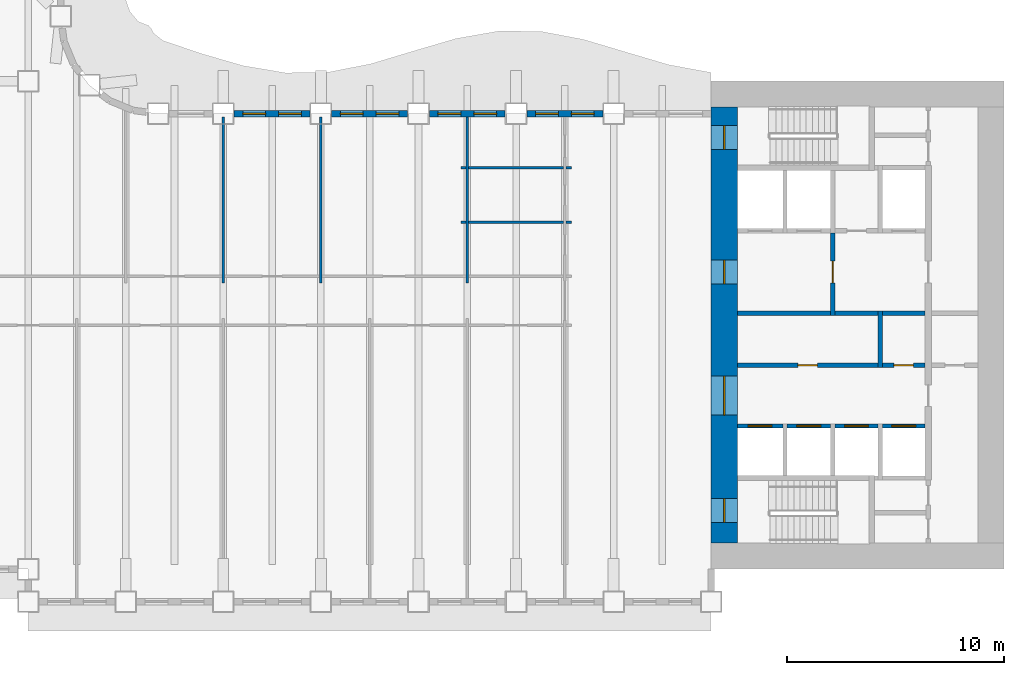
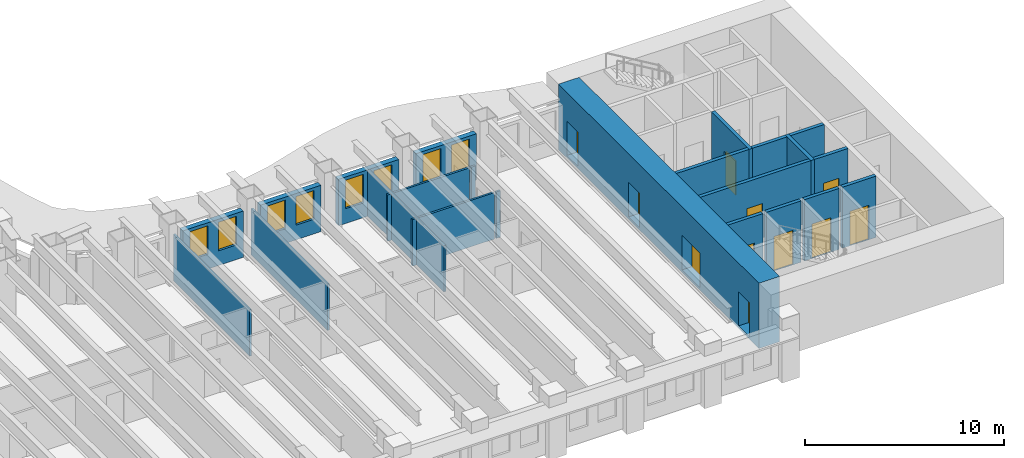
# One storey, part 6 of 16: 25 walls, 11 doors, 8 windows, 19 openings.
"""IFC4 building model written with IfcOpenShell, lengths in metres."""

from ifc_helpers import new_model, si_unit, direction, frame, frame_2d, origin, place, context, subcontext, project, spatial, rectangle, extrude, material, layer, layer_set, type_object, element, fill, save


model = new_model("IFC4")

# Units and contexts
model_context = context("Model", 3, precision=1e-05, world=origin(), true_north=direction((0.0, 1.0)))
body_context = subcontext(model_context, "Body", "Model", "MODEL_VIEW")
ifc_project = project(units=[si_unit("LENGTHUNIT", "METRE"), si_unit("AREAUNIT", "SQUARE_METRE"), si_unit("VOLUMEUNIT", "CUBIC_METRE"), si_unit("PLANEANGLEUNIT", "RADIAN"), si_unit("MASSUNIT", "GRAM", prefix="KILO")], contexts=[model_context])

# Site, building, storey
site_placement = place(None, origin())
site = spatial("IfcSite", under=ifc_project, at=site_placement, CompositionType="ELEMENT")
building_placement = place(site_placement, origin())
building = spatial("IfcBuilding", under=site, at=building_placement, Name="Sennacour Bend Tower", CompositionType="ELEMENT")
storey_placement = place(building_placement, frame((0.0, 0.0, 127.0)))
storey = spatial("IfcBuildingStorey", under=building, at=storey_placement, Name="L29", CompositionType="ELEMENT", Elevation=127.0)

# Wall, openings, doors
ifc_material_1 = material(Name="Concrete C80/95", Category="concrete")
ifc_layer_1 = layer(ifc_material_1, 1.199951171875, Name="Concrete C80/95", Category="concrete")
ifc_layer_set_1 = layer_set([ifc_layer_1], Name="Concrete C80/95")
wall_type_1 = type_object("IfcWallType", Name="Core wall 1200 C80/95", PredefinedType="SHEAR", material=ifc_layer_set_1)
wall_1_placement = place(storey_placement, frame((54.60009765625, 1.199951171875, -0.14990234375), z_axis=(0.0, 0.0, 1.0), x_axis=(0.0, 1.0, 0.0)))
wall_1 = element("IfcWall", 1, at=wall_1_placement, inside=storey, type_object=wall_type_1, Name="Core A wall L29 W", PredefinedType="SHEAR", context=body_context, shape_type="SweptSolid", body=[
    extrude(rectangle(XDim=20.10009765625, YDim=1.199951171875, at=frame_2d((10.050048828125, 0.0))), origin(), (0.0, 0.0, 1.0), 4.0),
])
opening_1_placement = place(wall_1_placement, frame((5.89990234375, 0.0, 0.14990234375)))
opening_1 = element("IfcOpeningElement", 2, at=opening_1_placement, cuts=wall_1, Name="Opening CD", PredefinedType="OPENING", context=body_context, shape_type="SweptSolid", body=[
    extrude(rectangle(XDim=1.800048828125, YDim=2.10009765625, at=frame_2d((0.89990234375, 1.050048828125))), frame((0.0, 0.60986328125, 0.0), z_axis=(0.0, -1.0, 0.0), x_axis=(1.0, 0.0, 0.0)), (0.0, 0.0, 1.0), 1.219970703125),
])
opening_2_placement = place(wall_1_placement, frame((11.949951171875, 0.0, 0.14990234375)))
opening_2 = element("IfcOpeningElement", 3, at=opening_2_placement, cuts=wall_1, Name="Opening FD", PredefinedType="OPENING", context=body_context, shape_type="SweptSolid", body=[
    extrude(rectangle(XDim=1.10009765625, YDim=2.10009765625, at=frame_2d((0.550048828125, 1.050048828125))), frame((0.0, 0.60986328125, 0.0), z_axis=(0.0, -1.0, 0.0), x_axis=(1.0, 0.0, 0.0)), (0.0, 0.0, 1.0), 1.219970703125),
])
opening_3_placement = place(wall_1_placement, frame((0.949951171875, 0.0, 0.14990234375)))
opening_3 = element("IfcOpeningElement", 4, at=opening_3_placement, cuts=wall_1, Name="Opening SD", PredefinedType="OPENING", context=body_context, shape_type="SweptSolid", body=[
    extrude(rectangle(XDim=1.10009765625, YDim=2.10009765625, at=frame_2d((0.550048828125, 1.050048828125))), frame((0.0, 0.60986328125, 0.0), z_axis=(0.0, -1.0, 0.0), x_axis=(1.0, 0.0, 0.0)), (0.0, 0.0, 1.0), 1.219970703125),
])
opening_4_placement = place(wall_1_placement, frame((18.14990234375, 0.0, 0.14990234375)))
opening_4 = element("IfcOpeningElement", 5, at=opening_4_placement, cuts=wall_1, Name="Opening SD", PredefinedType="OPENING", context=body_context, shape_type="SweptSolid", body=[
    extrude(rectangle(XDim=1.10009765625, YDim=2.10009765625, at=frame_2d((0.550048828125, 1.050048828125))), frame((0.0, 0.60986328125, 0.0), z_axis=(0.0, -1.0, 0.0), x_axis=(1.0, 0.0, 0.0)), (0.0, 0.0, 1.0), 1.219970703125),
])
ifc_material_2 = material(Name="Painted steel", Category="steel")
door_type_1 = type_object("IfcDoorType", Name="DR-FFL-1100", OperationType="NOTDEFINED", PredefinedType="DOOR", material=ifc_material_2)
door_1_placement = place(opening_2_placement, origin())
door_1 = element("IfcDoor", 6, at=door_1_placement, inside=storey, type_object=door_type_1, Name="Door", OperationType="SINGLE_SWING_RIGHT", OverallHeight=2.10009765625, OverallWidth=1.10009765625, PredefinedType="DOOR", context=body_context, shape_type="SweptSolid", body=[
    extrude(rectangle(XDim=1.10009765625, YDim=2.10009765625, at=frame_2d((0.550048828125, 1.050048828125))), frame((0.0, 0.02490234375, 0.0), z_axis=(0.0, -1.0, 0.0), x_axis=(1.0, 0.0, 0.0)), (0.0, 0.0, 1.0), 0.050048828125),
])
fill(opening_2, door_1)
door_type_2 = type_object("IfcDoorType", Name="DR-LOBBY-1800", OperationType="NOTDEFINED", PredefinedType="DOOR", material=ifc_material_2)
door_2_placement = place(opening_1_placement, origin())
door_2 = element("IfcDoor", 7, at=door_2_placement, inside=storey, type_object=door_type_2, Name="Door", OperationType="DOUBLE_DOOR_SINGLE_SWING", OverallHeight=2.10009765625, OverallWidth=1.800048828125, PredefinedType="DOOR", context=body_context, shape_type="SweptSolid", body=[
    extrude(rectangle(XDim=1.800048828125, YDim=2.10009765625, at=frame_2d((0.89990234375, 1.050048828125))), frame((0.0, 0.02490234375, 0.0), z_axis=(0.0, -1.0, 0.0), x_axis=(1.0, 0.0, 0.0)), (0.0, 0.0, 1.0), 0.050048828125),
])
fill(opening_1, door_2)
door_type_3 = type_object("IfcDoorType", Name="DR-STAIR-1100", OperationType="NOTDEFINED", PredefinedType="DOOR", material=ifc_material_2)
door_3_placement = place(opening_3_placement, origin())
door_3 = element("IfcDoor", 8, at=door_3_placement, inside=storey, type_object=door_type_3, Name="Door", OperationType="SINGLE_SWING_LEFT", OverallHeight=2.10009765625, OverallWidth=1.10009765625, PredefinedType="DOOR", context=body_context, shape_type="SweptSolid", body=[
    extrude(rectangle(XDim=1.10009765625, YDim=2.10009765625, at=frame_2d((0.550048828125, 1.050048828125))), frame((0.0, 0.02490234375, 0.0), z_axis=(0.0, -1.0, 0.0), x_axis=(1.0, 0.0, 0.0)), (0.0, 0.0, 1.0), 0.050048828125),
])
fill(opening_3, door_3)
door_4_placement = place(opening_4_placement, origin())
door_4 = element("IfcDoor", 9, at=door_4_placement, inside=storey, type_object=door_type_3, Name="Door", OperationType="SINGLE_SWING_RIGHT", OverallHeight=2.10009765625, OverallWidth=1.10009765625, PredefinedType="DOOR", context=body_context, shape_type="SweptSolid", body=[
    extrude(rectangle(XDim=1.10009765625, YDim=2.10009765625, at=frame_2d((0.550048828125, 1.050048828125))), frame((0.0, 0.02490234375, 0.0), z_axis=(0.0, -1.0, 0.0), x_axis=(1.0, 0.0, 0.0)), (0.0, 0.0, 1.0), 0.050048828125),
])
fill(opening_4, door_4)

# Walls
ifc_material_3 = material(Name="Plasterboard partition on steel studs", Category="steel")
ifc_layer_2 = layer(ifc_material_3, 0.1201171875, Name="Plasterboard partition on steel studs", Category="steel")
ifc_layer_set_2 = layer_set([ifc_layer_2], Name="Plasterboard partition on steel studs")
wall_type_2 = type_object("IfcWallType", Name="Partition 120", PredefinedType="PARTITIONING", material=ifc_layer_set_2)
for number, where, z_axis, x_axis, name in (
    (10, (31.5, 13.199951171875, 0.0), (0.0, 0.0, 1.0), (0.0, 1.0, 0.0), "P-L29-W028a"),
    (11, (36.0, 13.199951171875, 0.0), (0.0, 0.0, 1.0), (0.0, 1.0, 0.0), "P-L29-W029a"),
    (12, (42.75, 13.199951171875, 0.0), (0.0, 0.0, 1.0), (0.0, 1.0, 0.0), "P-L29-W032a"),
):
    element("IfcWall", number, at=place(storey_placement, frame(where, z_axis=z_axis, x_axis=x_axis)), inside=storey, type_object=wall_type_2, Name=name, PredefinedType="PARTITIONING", context=body_context, shape_type="SweptSolid", body=[
        extrude(rectangle(XDim=7.650146484375, YDim=0.1201171875, at=frame_2d((3.8251953125, 0.0))), origin(), (0.0, 0.0, 1.0), 2.837890625),
    ])
wall_2_placement = place(storey_placement, frame((42.449951171875, 16.0, 0.0), z_axis=(0.0, 0.0, 1.0), x_axis=(1.0, 0.0, 0.0)))
element("IfcWall", 13, at=wall_2_placement, inside=storey, type_object=wall_type_2, Name="P-L29-W064aa", PredefinedType="PARTITIONING", context=body_context, shape_type="SweptSolid", body=[
    extrude(rectangle(XDim=0.239990234375, YDim=0.1201171875, at=frame_2d((0.1201171875, 0.0))), origin(), (0.0, 0.0, 1.0), 2.837890625),
])
wall_3_placement = place(storey_placement, frame((42.81005859375, 16.0, 0.0), z_axis=(0.0, 0.0, 1.0), x_axis=(1.0, 0.0, 0.0)))
element("IfcWall", 14, at=wall_3_placement, inside=storey, type_object=wall_type_2, Name="P-L29-W064ab", PredefinedType="PARTITIONING", context=body_context, shape_type="SweptSolid", body=[
    extrude(rectangle(XDim=4.3798828125, YDim=0.1201171875, at=frame_2d((2.18994140625, 0.0))), origin(), (0.0, 0.0, 1.0), 2.837890625),
])
for number, where, z_axis, x_axis, name in (
    (15, (47.31005859375, 16.0, 0.0), (0.0, 0.0, 1.0), (1.0, 0.0, 0.0), "P-L29-W064ac"),
    (16, (42.449951171875, 18.5, 0.0), (0.0, 0.0, 1.0), (1.0, 0.0, 0.0), "P-L29-W065aa"),
):
    element("IfcWall", number, at=place(storey_placement, frame(where, z_axis=z_axis, x_axis=x_axis)), inside=storey, type_object=wall_type_2, Name=name, PredefinedType="PARTITIONING", context=body_context, shape_type="SweptSolid", body=[
        extrude(rectangle(XDim=0.239990234375, YDim=0.1201171875, at=frame_2d((0.1201171875, 0.0))), origin(), (0.0, 0.0, 1.0), 2.837890625),
    ])
wall_4_placement = place(storey_placement, frame((42.81005859375, 18.5, 0.0), z_axis=(0.0, 0.0, 1.0), x_axis=(1.0, 0.0, 0.0)))
element("IfcWall", 17, at=wall_4_placement, inside=storey, type_object=wall_type_2, Name="P-L29-W065ab", PredefinedType="PARTITIONING", context=body_context, shape_type="SweptSolid", body=[
    extrude(rectangle(XDim=4.3798828125, YDim=0.1201171875, at=frame_2d((2.18994140625, 0.0))), origin(), (0.0, 0.0, 1.0), 2.837890625),
])
wall_5_placement = place(storey_placement, frame((47.31005859375, 18.5, 0.0), z_axis=(0.0, 0.0, 1.0), x_axis=(1.0, 0.0, 0.0)))
element("IfcWall", 18, at=wall_5_placement, inside=storey, type_object=wall_type_2, Name="P-L29-W065ac", PredefinedType="PARTITIONING", context=body_context, shape_type="SweptSolid", body=[
    extrude(rectangle(XDim=0.239990234375, YDim=0.1201171875, at=frame_2d((0.1201171875, 0.0))), origin(), (0.0, 0.0, 1.0), 2.837890625),
])
ifc_material_4 = material(Name="Fire-rated plasterboard partition on steel studs", Category="steel")
ifc_layer_3 = layer(ifc_material_4, 0.199951171875, Name="Fire-rated plasterboard partition on steel studs", Category="steel")
ifc_layer_set_3 = layer_set([ifc_layer_3], Name="Fire-rated plasterboard partition on steel studs")
wall_type_3 = type_object("IfcWallType", Name="Rated partition 200", PredefinedType="PARTITIONING", material=ifc_layer_set_3)
wall_6_placement = place(storey_placement, frame((61.800048828125, 9.300048828125, 0.0), z_axis=(0.0, 0.0, 1.0), x_axis=(0.0, 1.0, 0.0)))
element("IfcWall", 19, at=wall_6_placement, inside=storey, type_object=wall_type_3, Name="P-L29-W043", PredefinedType="PARTITIONING", context=body_context, shape_type="SweptSolid", body=[
    extrude(rectangle(XDim=2.599853515625, YDim=0.199951171875, at=frame_2d((1.2998046875, 0.0))), origin(), (0.0, 0.0, 1.0), 3.75),
])

# Wall, opening, door
wall_7_placement = place(storey_placement, frame((55.199951171875, 9.39990234375, 0.0), z_axis=(0.0, 0.0, 1.0), x_axis=(1.0, 0.0, 0.0)))
wall_7 = element("IfcWall", 20, at=wall_7_placement, inside=storey, type_object=wall_type_3, Name="P-L29-W057a", PredefinedType="PARTITIONING", context=body_context, shape_type="SweptSolid", body=[
    extrude(rectangle(XDim=6.5, YDim=0.199951171875, at=frame_2d((3.25, 0.0))), origin(), (0.0, 0.0, 1.0), 3.75),
])
opening_5_placement = place(wall_7_placement, frame((2.800048828125, 0.0, 0.0)))
opening_5 = element("IfcOpeningElement", 21, at=opening_5_placement, cuts=wall_7, Name="Opening SV", PredefinedType="OPENING", context=body_context, shape_type="SweptSolid", body=[
    extrude(rectangle(XDim=0.89990234375, YDim=2.10009765625, at=frame_2d((0.449951171875, 1.050048828125))), frame((0.0, 0.10986328125, 0.0), z_axis=(0.0, -1.0, 0.0), x_axis=(1.0, 0.0, 0.0)), (0.0, 0.0, 1.0), 0.219970703125),
])
door_type_4 = type_object("IfcDoorType", Name="DR-SERVICE-900", OperationType="NOTDEFINED", PredefinedType="DOOR", material=ifc_material_2)
door_5_placement = place(opening_5_placement, origin())
door_5 = element("IfcDoor", 22, at=door_5_placement, inside=storey, type_object=door_type_4, Name="Door", OperationType="SINGLE_SWING_LEFT", OverallHeight=2.10009765625, OverallWidth=0.89990234375, PredefinedType="DOOR", context=body_context, shape_type="SweptSolid", body=[
    extrude(rectangle(XDim=0.89990234375, YDim=2.10009765625, at=frame_2d((0.449951171875, 1.050048828125))), frame((0.0, 0.02490234375, 0.0), z_axis=(0.0, -1.0, 0.0), x_axis=(1.0, 0.0, 0.0)), (0.0, 0.0, 1.0), 0.050048828125),
])
fill(opening_5, door_5)

wall_8_placement = place(storey_placement, frame((61.89990234375, 9.39990234375, 0.0), z_axis=(0.0, 0.0, 1.0), x_axis=(1.0, 0.0, 0.0)))
wall_8 = element("IfcWall", 23, at=wall_8_placement, inside=storey, type_object=wall_type_3, Name="P-L29-W057b", PredefinedType="PARTITIONING", context=body_context, shape_type="SweptSolid", body=[
    extrude(rectangle(XDim=1.9501953125, YDim=0.199951171875, at=frame_2d((0.97509765625, 0.0))), origin(), (0.0, 0.0, 1.0), 3.75),
])
opening_6_placement = place(wall_8_placement, frame((0.525146484375, 0.0, 0.0)))
opening_6 = element("IfcOpeningElement", 24, at=opening_6_placement, cuts=wall_8, Name="Opening SV", PredefinedType="OPENING", context=body_context, shape_type="SweptSolid", body=[
    extrude(rectangle(XDim=0.89990234375, YDim=2.10009765625, at=frame_2d((0.449951171875, 1.050048828125))), frame((0.0, 0.10986328125, 0.0), z_axis=(0.0, -1.0, 0.0), x_axis=(1.0, 0.0, 0.0)), (0.0, 0.0, 1.0), 0.219970703125),
])
door_6_placement = place(opening_6_placement, origin())
door_6 = element("IfcDoor", 25, at=door_6_placement, inside=storey, type_object=door_type_4, Name="Door", OperationType="SINGLE_SWING_LEFT", OverallHeight=2.10009765625, OverallWidth=0.89990234375, PredefinedType="DOOR", context=body_context, shape_type="SweptSolid", body=[
    extrude(rectangle(XDim=0.89990234375, YDim=2.10009765625, at=frame_2d((0.449951171875, 1.050048828125))), frame((0.0, 0.02490234375, 0.0), z_axis=(0.0, -1.0, 0.0), x_axis=(1.0, 0.0, 0.0)), (0.0, 0.0, 1.0), 0.050048828125),
])
fill(opening_6, door_6)

# Walls
wall_9_placement = place(storey_placement, frame((55.199951171875, 11.800048828125, 0.0), z_axis=(0.0, 0.0, 1.0), x_axis=(1.0, 0.0, 0.0)))
element("IfcWall", 26, at=wall_9_placement, inside=storey, type_object=wall_type_3, Name="P-L29-W059a", PredefinedType="PARTITIONING", context=body_context, shape_type="SweptSolid", body=[
    extrude(rectangle(XDim=4.300048828125, YDim=0.199951171875, at=frame_2d((2.14990234375, 0.0))), origin(), (0.0, 0.0, 1.0), 3.75),
])
wall_10_placement = place(storey_placement, frame((59.699951171875, 11.800048828125, 0.0), z_axis=(0.0, 0.0, 1.0), x_axis=(1.0, 0.0, 0.0)))
element("IfcWall", 27, at=wall_10_placement, inside=storey, type_object=wall_type_3, Name="P-L29-W059b", PredefinedType="PARTITIONING", context=body_context, shape_type="SweptSolid", body=[
    extrude(rectangle(XDim=2.0, YDim=0.199951171875, at=frame_2d((1.0, 0.0))), origin(), (0.0, 0.0, 1.0), 3.75),
])
wall_11_placement = place(storey_placement, frame((61.89990234375, 11.800048828125, 0.0), z_axis=(0.0, 0.0, 1.0), x_axis=(1.0, 0.0, 0.0)))
element("IfcWall", 28, at=wall_11_placement, inside=storey, type_object=wall_type_3, Name="P-L29-W059c", PredefinedType="PARTITIONING", context=body_context, shape_type="SweptSolid", body=[
    extrude(rectangle(XDim=1.9501953125, YDim=0.199951171875, at=frame_2d((0.97509765625, 0.0))), origin(), (0.0, 0.0, 1.0), 3.75),
])

# Wall, opening, door
ifc_layer_4 = layer(ifc_material_4, 0.199951171875, Name="Fire-rated plasterboard partition on steel studs", Category="steel")
ifc_layer_set_4 = layer_set([ifc_layer_4], Name="Fire-rated plasterboard partition on steel studs")
wall_type_4 = type_object("IfcWallType", Name="Rated partition 200 EI 90", PredefinedType="PARTITIONING", material=ifc_layer_set_4)
wall_12_placement = place(storey_placement, frame((59.60009765625, 11.699951171875, 0.0), z_axis=(0.0, 0.0, 1.0), x_axis=(0.0, 1.0, 0.0)))
wall_12 = element("IfcWall", 29, at=wall_12_placement, inside=storey, type_object=wall_type_4, Name="P-L29-W038", PredefinedType="PARTITIONING", context=body_context, shape_type="SweptSolid", body=[
    extrude(rectangle(XDim=3.800048828125, YDim=0.199951171875, at=frame_2d((1.89990234375, 0.0))), origin(), (0.0, 0.0, 1.0), 3.75),
])
opening_7_placement = place(wall_12_placement, frame((1.5, 0.0, 0.0)))
opening_7 = element("IfcOpeningElement", 30, at=opening_7_placement, cuts=wall_12, Name="Opening FD2", PredefinedType="OPENING", context=body_context, shape_type="SweptSolid", body=[
    extrude(rectangle(XDim=1.0, YDim=2.10009765625, at=frame_2d((0.5, 1.050048828125))), frame((0.0, 0.10986328125, 0.0), z_axis=(0.0, -1.0, 0.0), x_axis=(1.0, 0.0, 0.0)), (0.0, 0.0, 1.0), 0.219970703125),
])
door_type_5 = type_object("IfcDoorType", Name="DR-FFL-1000", OperationType="NOTDEFINED", PredefinedType="DOOR", material=ifc_material_2)
door_7_placement = place(opening_7_placement, origin())
door_7 = element("IfcDoor", 31, at=door_7_placement, inside=storey, type_object=door_type_5, Name="Door", OperationType="SINGLE_SWING_RIGHT", OverallHeight=2.10009765625, OverallWidth=1.0, PredefinedType="DOOR", context=body_context, shape_type="SweptSolid", body=[
    extrude(rectangle(XDim=1.0, YDim=2.10009765625, at=frame_2d((0.5, 1.050048828125))), frame((0.0, 0.02490234375, 0.0), z_axis=(0.0, -1.0, 0.0), x_axis=(1.0, 0.0, 0.0)), (0.0, 0.0, 1.0), 0.050048828125),
])
fill(opening_7, door_7)

# Wall, openings, windows
ifc_material_5 = material(Name="Warm limestone cladding", Category="masonry")
ifc_layer_5 = layer(ifc_material_5, 0.050048828125, Name="Warm limestone cladding", Category="masonry")
ifc_material_6 = material(Name="Precast concrete C40/50", Category="concrete")
ifc_layer_6 = layer(ifc_material_6, 0.25, Name="Precast concrete C40/50", Category="concrete")
ifc_layer_set_5 = layer_set([ifc_layer_5, ifc_layer_6], Name="Precast concrete C40/50 with limestone cladding")
wall_type_5 = type_object("IfcWallType", Name="STONE-CLAD PRECAST SPANDREL 300", PredefinedType="STANDARD", material=ifc_layer_set_5)
wall_13_placement = place(storey_placement, frame((49.0, 21.0, 0.0), z_axis=(0.0, 0.0, 1.0), x_axis=(-1.0, 0.0, 0.0)))
wall_13 = element("IfcWall", 32, at=wall_13_placement, inside=storey, type_object=wall_type_5, Name="Stone spandrel and pier wall L29 06.01", PredefinedType="STANDARD", context=body_context, shape_type="SweptSolid", body=[
    extrude(rectangle(XDim=3.5, YDim=0.300048828125, at=frame_2d((1.75, 0.0))), origin(), (0.0, 0.0, 1.0), 2.837890625),
])
opening_8_placement = place(wall_13_placement, frame((0.39990234375, 0.0, 0.89990234375)))
opening_8 = element("IfcOpeningElement", 33, at=opening_8_placement, cuts=wall_13, Name="Opening W15", PredefinedType="OPENING", context=body_context, shape_type="SweptSolid", body=[
    extrude(rectangle(XDim=1.050048828125, YDim=1.75, at=frame_2d((0.52490234375, 0.875))), frame((0.0, 0.16015625, 0.0), z_axis=(0.0, -1.0, 0.0), x_axis=(1.0, 0.0, 0.0)), (0.0, 0.0, 1.0), 0.320068359375),
])
opening_9_placement = place(wall_13_placement, frame((2.050048828125, 0.0, 0.89990234375)))
opening_9 = element("IfcOpeningElement", 34, at=opening_9_placement, cuts=wall_13, Name="Opening W15", PredefinedType="OPENING", context=body_context, shape_type="SweptSolid", body=[
    extrude(rectangle(XDim=1.050048828125, YDim=1.75, at=frame_2d((0.52490234375, 0.875))), frame((0.0, 0.16015625, 0.0), z_axis=(0.0, -1.0, 0.0), x_axis=(1.0, 0.0, 0.0)), (0.0, 0.0, 1.0), 0.320068359375),
])
ifc_material_7 = material(Name="Clear low-emissivity glass", Category="glass")
window_type = type_object("IfcWindowType", Name="WIN-RIBBON-1050x1750", PartitioningType="SINGLE_PANEL", PredefinedType="WINDOW", material=ifc_material_7)
window_1_placement = place(opening_8_placement, origin())
window_1 = element("IfcWindow", 35, at=window_1_placement, inside=storey, type_object=window_type, Name="Ribbon window L29 06.01.0", OverallHeight=1.75, OverallWidth=1.050048828125, PartitioningType="SINGLE_PANEL", PredefinedType="WINDOW", context=body_context, shape_type="SweptSolid", body=[
    extrude(rectangle(XDim=1.050048828125, YDim=1.75, at=frame_2d((0.52490234375, 0.875))), frame((0.0, 0.030029296875, 0.0), z_axis=(0.0, -1.0, 0.0), x_axis=(1.0, 0.0, 0.0)), (0.0, 0.0, 1.0), 0.06005859375),
])
fill(opening_8, window_1)
window_2_placement = place(opening_9_placement, origin())
window_2 = element("IfcWindow", 36, at=window_2_placement, inside=storey, type_object=window_type, Name="Ribbon window L29 06.01.1", OverallHeight=1.75, OverallWidth=1.050048828125, PartitioningType="SINGLE_PANEL", PredefinedType="WINDOW", context=body_context, shape_type="SweptSolid", body=[
    extrude(rectangle(XDim=1.050048828125, YDim=1.75, at=frame_2d((0.52490234375, 0.875))), frame((0.0, 0.030029296875, 0.0), z_axis=(0.0, -1.0, 0.0), x_axis=(1.0, 0.0, 0.0)), (0.0, 0.0, 1.0), 0.06005859375),
])
fill(opening_9, window_2)

wall_14_placement = place(storey_placement, frame((44.5, 21.0, 0.0), z_axis=(0.0, 0.0, 1.0), x_axis=(-1.0, 0.0, 0.0)))
wall_14 = element("IfcWall", 37, at=wall_14_placement, inside=storey, type_object=wall_type_5, Name="Stone spandrel and pier wall L29 06.02", PredefinedType="STANDARD", context=body_context, shape_type="SweptSolid", body=[
    extrude(rectangle(XDim=3.5, YDim=0.300048828125, at=frame_2d((1.75, 0.0))), origin(), (0.0, 0.0, 1.0), 2.837890625),
])
opening_10_placement = place(wall_14_placement, frame((0.39990234375, 0.0, 0.89990234375)))
opening_10 = element("IfcOpeningElement", 38, at=opening_10_placement, cuts=wall_14, Name="Opening W15", PredefinedType="OPENING", context=body_context, shape_type="SweptSolid", body=[
    extrude(rectangle(XDim=1.050048828125, YDim=1.75, at=frame_2d((0.52490234375, 0.875))), frame((0.0, 0.16015625, 0.0), z_axis=(0.0, -1.0, 0.0), x_axis=(1.0, 0.0, 0.0)), (0.0, 0.0, 1.0), 0.320068359375),
])
opening_11_placement = place(wall_14_placement, frame((2.050048828125, 0.0, 0.89990234375)))
opening_11 = element("IfcOpeningElement", 39, at=opening_11_placement, cuts=wall_14, Name="Opening W15", PredefinedType="OPENING", context=body_context, shape_type="SweptSolid", body=[
    extrude(rectangle(XDim=1.050048828125, YDim=1.75, at=frame_2d((0.52490234375, 0.875))), frame((0.0, 0.16015625, 0.0), z_axis=(0.0, -1.0, 0.0), x_axis=(1.0, 0.0, 0.0)), (0.0, 0.0, 1.0), 0.320068359375),
])
window_3_placement = place(opening_10_placement, origin())
window_3 = element("IfcWindow", 40, at=window_3_placement, inside=storey, type_object=window_type, Name="Ribbon window L29 06.02.0", OverallHeight=1.75, OverallWidth=1.050048828125, PartitioningType="SINGLE_PANEL", PredefinedType="WINDOW", context=body_context, shape_type="SweptSolid", body=[
    extrude(rectangle(XDim=1.050048828125, YDim=1.75, at=frame_2d((0.52490234375, 0.875))), frame((0.0, 0.030029296875, 0.0), z_axis=(0.0, -1.0, 0.0), x_axis=(1.0, 0.0, 0.0)), (0.0, 0.0, 1.0), 0.06005859375),
])
fill(opening_10, window_3)
window_4_placement = place(opening_11_placement, origin())
window_4 = element("IfcWindow", 41, at=window_4_placement, inside=storey, type_object=window_type, Name="Ribbon window L29 06.02.1", OverallHeight=1.75, OverallWidth=1.050048828125, PartitioningType="SINGLE_PANEL", PredefinedType="WINDOW", context=body_context, shape_type="SweptSolid", body=[
    extrude(rectangle(XDim=1.050048828125, YDim=1.75, at=frame_2d((0.52490234375, 0.875))), frame((0.0, 0.030029296875, 0.0), z_axis=(0.0, -1.0, 0.0), x_axis=(1.0, 0.0, 0.0)), (0.0, 0.0, 1.0), 0.06005859375),
])
fill(opening_11, window_4)

wall_15_placement = place(storey_placement, frame((40.0, 21.0, 0.0), z_axis=(0.0, 0.0, 1.0), x_axis=(-1.0, 0.0, 0.0)))
wall_15 = element("IfcWall", 42, at=wall_15_placement, inside=storey, type_object=wall_type_5, Name="Stone spandrel and pier wall L29 06.03", PredefinedType="STANDARD", context=body_context, shape_type="SweptSolid", body=[
    extrude(rectangle(XDim=3.5, YDim=0.300048828125, at=frame_2d((1.75, 0.0))), origin(), (0.0, 0.0, 1.0), 2.837890625),
])
opening_12_placement = place(wall_15_placement, frame((0.39990234375, 0.0, 0.89990234375)))
opening_12 = element("IfcOpeningElement", 43, at=opening_12_placement, cuts=wall_15, Name="Opening W15", PredefinedType="OPENING", context=body_context, shape_type="SweptSolid", body=[
    extrude(rectangle(XDim=1.050048828125, YDim=1.75, at=frame_2d((0.52490234375, 0.875))), frame((0.0, 0.16015625, 0.0), z_axis=(0.0, -1.0, 0.0), x_axis=(1.0, 0.0, 0.0)), (0.0, 0.0, 1.0), 0.320068359375),
])
opening_13_placement = place(wall_15_placement, frame((2.050048828125, 0.0, 0.89990234375)))
opening_13 = element("IfcOpeningElement", 44, at=opening_13_placement, cuts=wall_15, Name="Opening W15", PredefinedType="OPENING", context=body_context, shape_type="SweptSolid", body=[
    extrude(rectangle(XDim=1.050048828125, YDim=1.75, at=frame_2d((0.52490234375, 0.875))), frame((0.0, 0.16015625, 0.0), z_axis=(0.0, -1.0, 0.0), x_axis=(1.0, 0.0, 0.0)), (0.0, 0.0, 1.0), 0.320068359375),
])
window_5_placement = place(opening_12_placement, origin())
window_5 = element("IfcWindow", 45, at=window_5_placement, inside=storey, type_object=window_type, Name="Ribbon window L29 06.03.0", OverallHeight=1.75, OverallWidth=1.050048828125, PartitioningType="SINGLE_PANEL", PredefinedType="WINDOW", context=body_context, shape_type="SweptSolid", body=[
    extrude(rectangle(XDim=1.050048828125, YDim=1.75, at=frame_2d((0.52490234375, 0.875))), frame((0.0, 0.030029296875, 0.0), z_axis=(0.0, -1.0, 0.0), x_axis=(1.0, 0.0, 0.0)), (0.0, 0.0, 1.0), 0.06005859375),
])
fill(opening_12, window_5)
window_6_placement = place(opening_13_placement, origin())
window_6 = element("IfcWindow", 46, at=window_6_placement, inside=storey, type_object=window_type, Name="Ribbon window L29 06.03.1", OverallHeight=1.75, OverallWidth=1.050048828125, PartitioningType="SINGLE_PANEL", PredefinedType="WINDOW", context=body_context, shape_type="SweptSolid", body=[
    extrude(rectangle(XDim=1.050048828125, YDim=1.75, at=frame_2d((0.52490234375, 0.875))), frame((0.0, 0.030029296875, 0.0), z_axis=(0.0, -1.0, 0.0), x_axis=(1.0, 0.0, 0.0)), (0.0, 0.0, 1.0), 0.06005859375),
])
fill(opening_13, window_6)

wall_16_placement = place(storey_placement, frame((35.5, 21.0, 0.0), z_axis=(0.0, 0.0, 1.0), x_axis=(-1.0, 0.0, 0.0)))
wall_16 = element("IfcWall", 47, at=wall_16_placement, inside=storey, type_object=wall_type_5, Name="Stone spandrel and pier wall L29 06.04", PredefinedType="STANDARD", context=body_context, shape_type="SweptSolid", body=[
    extrude(rectangle(XDim=3.5, YDim=0.300048828125, at=frame_2d((1.75, 0.0))), origin(), (0.0, 0.0, 1.0), 2.837890625),
])
opening_14_placement = place(wall_16_placement, frame((0.39990234375, 0.0, 0.89990234375)))
opening_14 = element("IfcOpeningElement", 48, at=opening_14_placement, cuts=wall_16, Name="Opening W15", PredefinedType="OPENING", context=body_context, shape_type="SweptSolid", body=[
    extrude(rectangle(XDim=1.050048828125, YDim=1.75, at=frame_2d((0.52490234375, 0.875))), frame((0.0, 0.16015625, 0.0), z_axis=(0.0, -1.0, 0.0), x_axis=(1.0, 0.0, 0.0)), (0.0, 0.0, 1.0), 0.320068359375),
])
opening_15_placement = place(wall_16_placement, frame((2.050048828125, 0.0, 0.89990234375)))
opening_15 = element("IfcOpeningElement", 49, at=opening_15_placement, cuts=wall_16, Name="Opening W15", PredefinedType="OPENING", context=body_context, shape_type="SweptSolid", body=[
    extrude(rectangle(XDim=1.050048828125, YDim=1.75, at=frame_2d((0.52490234375, 0.875))), frame((0.0, 0.16015625, 0.0), z_axis=(0.0, -1.0, 0.0), x_axis=(1.0, 0.0, 0.0)), (0.0, 0.0, 1.0), 0.320068359375),
])
window_7_placement = place(opening_14_placement, origin())
window_7 = element("IfcWindow", 50, at=window_7_placement, inside=storey, type_object=window_type, Name="Ribbon window L29 06.04.0", OverallHeight=1.75, OverallWidth=1.050048828125, PartitioningType="SINGLE_PANEL", PredefinedType="WINDOW", context=body_context, shape_type="SweptSolid", body=[
    extrude(rectangle(XDim=1.050048828125, YDim=1.75, at=frame_2d((0.52490234375, 0.875))), frame((0.0, 0.030029296875, 0.0), z_axis=(0.0, -1.0, 0.0), x_axis=(1.0, 0.0, 0.0)), (0.0, 0.0, 1.0), 0.06005859375),
])
fill(opening_14, window_7)
window_8_placement = place(opening_15_placement, origin())
window_8 = element("IfcWindow", 51, at=window_8_placement, inside=storey, type_object=window_type, Name="Ribbon window L29 06.04.1", OverallHeight=1.75, OverallWidth=1.050048828125, PartitioningType="SINGLE_PANEL", PredefinedType="WINDOW", context=body_context, shape_type="SweptSolid", body=[
    extrude(rectangle(XDim=1.050048828125, YDim=1.75, at=frame_2d((0.52490234375, 0.875))), frame((0.0, 0.030029296875, 0.0), z_axis=(0.0, -1.0, 0.0), x_axis=(1.0, 0.0, 0.0)), (0.0, 0.0, 1.0), 0.06005859375),
])
fill(opening_15, window_8)

# Wall, opening, door
ifc_material_8 = material(Name="Concrete C50/60", Category="concrete")
ifc_layer_7 = layer(ifc_material_8, 0.199951171875, Name="Concrete C50/60", Category="concrete")
ifc_layer_set_6 = layer_set([ifc_layer_7], Name="Concrete C50/60")
wall_type_6 = type_object("IfcWallType", Name="Shaft wall 200", PredefinedType="SOLIDWALL", material=ifc_layer_set_6)
wall_17_placement = place(storey_placement, frame((55.199951171875, 6.60009765625, 0.0), z_axis=(0.0, 0.0, 1.0), x_axis=(1.0, 0.0, 0.0)))
wall_17 = element("IfcWall", 52, at=wall_17_placement, inside=storey, type_object=wall_type_6, Name="P-L29-W056a", PredefinedType="SOLIDWALL", context=body_context, shape_type="SweptSolid", body=[
    extrude(rectangle(XDim=2.10009765625, YDim=0.199951171875, at=frame_2d((1.050048828125, 0.0))), origin(), (0.0, 0.0, 1.0), 3.75),
])
opening_16_placement = place(wall_17_placement, frame((0.5, 0.0, 0.011962890625)))
opening_16 = element("IfcOpeningElement", 53, at=opening_16_placement, cuts=wall_17, Name="Opening LD", PredefinedType="OPENING", context=body_context, shape_type="SweptSolid", body=[
    extrude(rectangle(XDim=1.10009765625, YDim=2.10009765625, at=frame_2d((0.550048828125, 1.050048828125))), frame((0.0, 0.10986328125, 0.0), z_axis=(0.0, -1.0, 0.0), x_axis=(1.0, 0.0, 0.0)), (0.0, 0.0, 1.0), 0.219970703125),
])
ifc_material_9 = material(Name="Stainless steel", Category="steel")
door_type_6 = type_object("IfcDoorType", Name="DR-LANDING-1100", OperationType="NOTDEFINED", PredefinedType="DOOR", material=ifc_material_9)
door_8_placement = place(opening_16_placement, origin())
door_8 = element("IfcDoor", 54, at=door_8_placement, inside=storey, type_object=door_type_6, Name="Lift landing door LA1", OperationType="SLIDING_TO_LEFT", OverallHeight=2.10009765625, OverallWidth=1.10009765625, PredefinedType="DOOR", context=body_context, shape_type="SweptSolid", body=[
    extrude(rectangle(XDim=1.10009765625, YDim=2.10009765625, at=frame_2d((0.550048828125, 1.050048828125))), frame((0.0, 0.02490234375, 0.0), z_axis=(0.0, -1.0, 0.0), x_axis=(1.0, 0.0, 0.0)), (0.0, 0.0, 1.0), 0.050048828125),
])
fill(opening_16, door_8)

wall_18_placement = place(storey_placement, frame((57.5, 6.60009765625, 0.0), z_axis=(0.0, 0.0, 1.0), x_axis=(1.0, 0.0, 0.0)))
wall_18 = element("IfcWall", 55, at=wall_18_placement, inside=storey, type_object=wall_type_6, Name="P-L29-W056b", PredefinedType="SOLIDWALL", context=body_context, shape_type="SweptSolid", body=[
    extrude(rectangle(XDim=2.0, YDim=0.199951171875, at=frame_2d((1.0, 0.0))), origin(), (0.0, 0.0, 1.0), 3.75),
])
opening_17_placement = place(wall_18_placement, frame((0.449951171875, 0.0, 0.011962890625)))
opening_17 = element("IfcOpeningElement", 56, at=opening_17_placement, cuts=wall_18, Name="Opening LD", PredefinedType="OPENING", context=body_context, shape_type="SweptSolid", body=[
    extrude(rectangle(XDim=1.10009765625, YDim=2.10009765625, at=frame_2d((0.550048828125, 1.050048828125))), frame((0.0, 0.10986328125, 0.0), z_axis=(0.0, -1.0, 0.0), x_axis=(1.0, 0.0, 0.0)), (0.0, 0.0, 1.0), 0.219970703125),
])
door_9_placement = place(opening_17_placement, origin())
door_9 = element("IfcDoor", 57, at=door_9_placement, inside=storey, type_object=door_type_6, Name="Lift landing door LA2", OperationType="SLIDING_TO_RIGHT", OverallHeight=2.10009765625, OverallWidth=1.10009765625, PredefinedType="DOOR", context=body_context, shape_type="SweptSolid", body=[
    extrude(rectangle(XDim=1.10009765625, YDim=2.10009765625, at=frame_2d((0.550048828125, 1.050048828125))), frame((0.0, 0.02490234375, 0.0), z_axis=(0.0, -1.0, 0.0), x_axis=(1.0, 0.0, 0.0)), (0.0, 0.0, 1.0), 0.050048828125),
])
fill(opening_17, door_9)

wall_19_placement = place(storey_placement, frame((59.699951171875, 6.60009765625, 0.0), z_axis=(0.0, 0.0, 1.0), x_axis=(1.0, 0.0, 0.0)))
wall_19 = element("IfcWall", 58, at=wall_19_placement, inside=storey, type_object=wall_type_6, Name="P-L29-W056c", PredefinedType="SOLIDWALL", context=body_context, shape_type="SweptSolid", body=[
    extrude(rectangle(XDim=2.0, YDim=0.199951171875, at=frame_2d((1.0, 0.0))), origin(), (0.0, 0.0, 1.0), 3.75),
])
opening_18_placement = place(wall_19_placement, frame((0.449951171875, 0.0, 0.011962890625)))
opening_18 = element("IfcOpeningElement", 59, at=opening_18_placement, cuts=wall_19, Name="Opening LD", PredefinedType="OPENING", context=body_context, shape_type="SweptSolid", body=[
    extrude(rectangle(XDim=1.10009765625, YDim=2.10009765625, at=frame_2d((0.550048828125, 1.050048828125))), frame((0.0, 0.10986328125, 0.0), z_axis=(0.0, -1.0, 0.0), x_axis=(1.0, 0.0, 0.0)), (0.0, 0.0, 1.0), 0.219970703125),
])
door_10_placement = place(opening_18_placement, origin())
door_10 = element("IfcDoor", 60, at=door_10_placement, inside=storey, type_object=door_type_6, Name="Lift landing door LA3", OperationType="SLIDING_TO_LEFT", OverallHeight=2.10009765625, OverallWidth=1.10009765625, PredefinedType="DOOR", context=body_context, shape_type="SweptSolid", body=[
    extrude(rectangle(XDim=1.10009765625, YDim=2.10009765625, at=frame_2d((0.550048828125, 1.050048828125))), frame((0.0, 0.02490234375, 0.0), z_axis=(0.0, -1.0, 0.0), x_axis=(1.0, 0.0, 0.0)), (0.0, 0.0, 1.0), 0.050048828125),
])
fill(opening_18, door_10)

wall_20_placement = place(storey_placement, frame((61.89990234375, 6.60009765625, 0.0), z_axis=(0.0, 0.0, 1.0), x_axis=(1.0, 0.0, 0.0)))
wall_20 = element("IfcWall", 61, at=wall_20_placement, inside=storey, type_object=wall_type_6, Name="P-L29-W056d", PredefinedType="SOLIDWALL", context=body_context, shape_type="SweptSolid", body=[
    extrude(rectangle(XDim=1.9501953125, YDim=0.199951171875, at=frame_2d((0.97509765625, 0.0))), origin(), (0.0, 0.0, 1.0), 3.75),
])
opening_19_placement = place(wall_20_placement, frame((0.425048828125, 0.0, 0.011962890625)))
opening_19 = element("IfcOpeningElement", 62, at=opening_19_placement, cuts=wall_20, Name="Opening LD", PredefinedType="OPENING", context=body_context, shape_type="SweptSolid", body=[
    extrude(rectangle(XDim=1.10009765625, YDim=2.10009765625, at=frame_2d((0.550048828125, 1.050048828125))), frame((0.0, 0.10986328125, 0.0), z_axis=(0.0, -1.0, 0.0), x_axis=(1.0, 0.0, 0.0)), (0.0, 0.0, 1.0), 0.219970703125),
])
door_11_placement = place(opening_19_placement, origin())
door_11 = element("IfcDoor", 63, at=door_11_placement, inside=storey, type_object=door_type_6, Name="Lift landing door LA4", OperationType="SLIDING_TO_RIGHT", OverallHeight=2.10009765625, OverallWidth=1.10009765625, PredefinedType="DOOR", context=body_context, shape_type="SweptSolid", body=[
    extrude(rectangle(XDim=1.10009765625, YDim=2.10009765625, at=frame_2d((0.550048828125, 1.050048828125))), frame((0.0, 0.02490234375, 0.0), z_axis=(0.0, -1.0, 0.0), x_axis=(1.0, 0.0, 0.0)), (0.0, 0.0, 1.0), 0.050048828125),
])
fill(opening_19, door_11)

save(model, "model.ifc")
